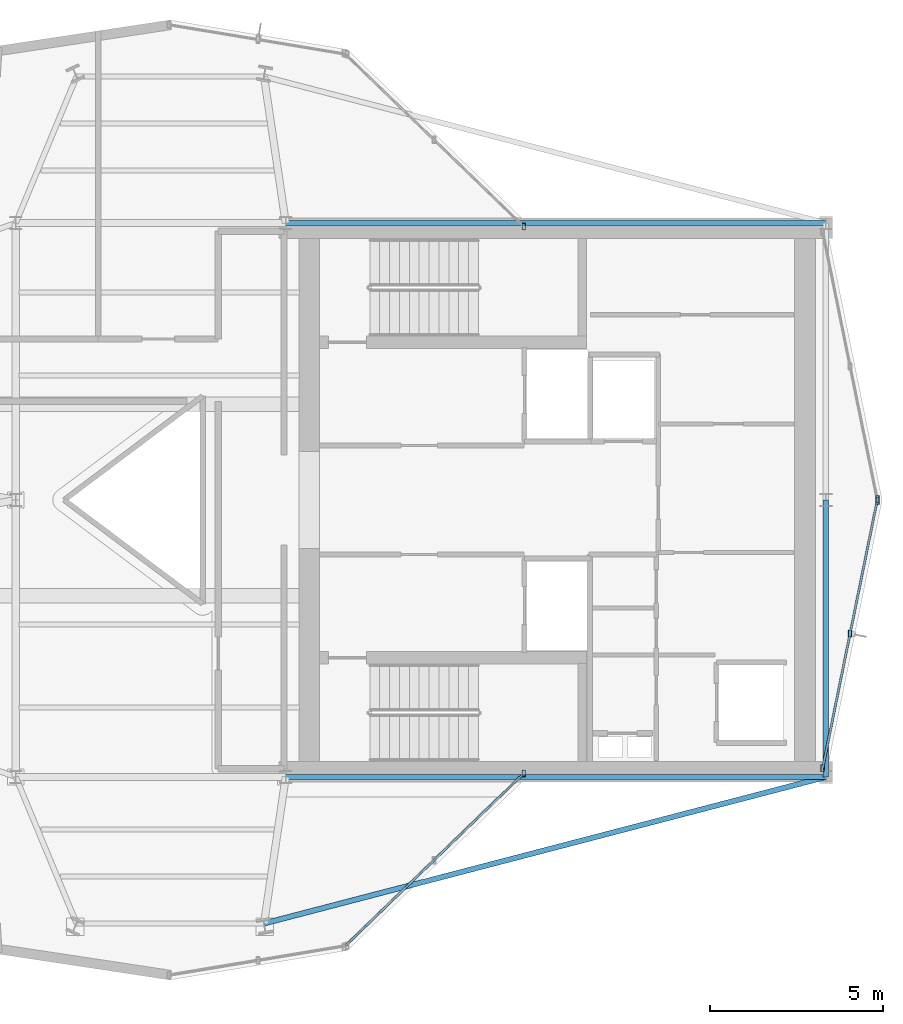
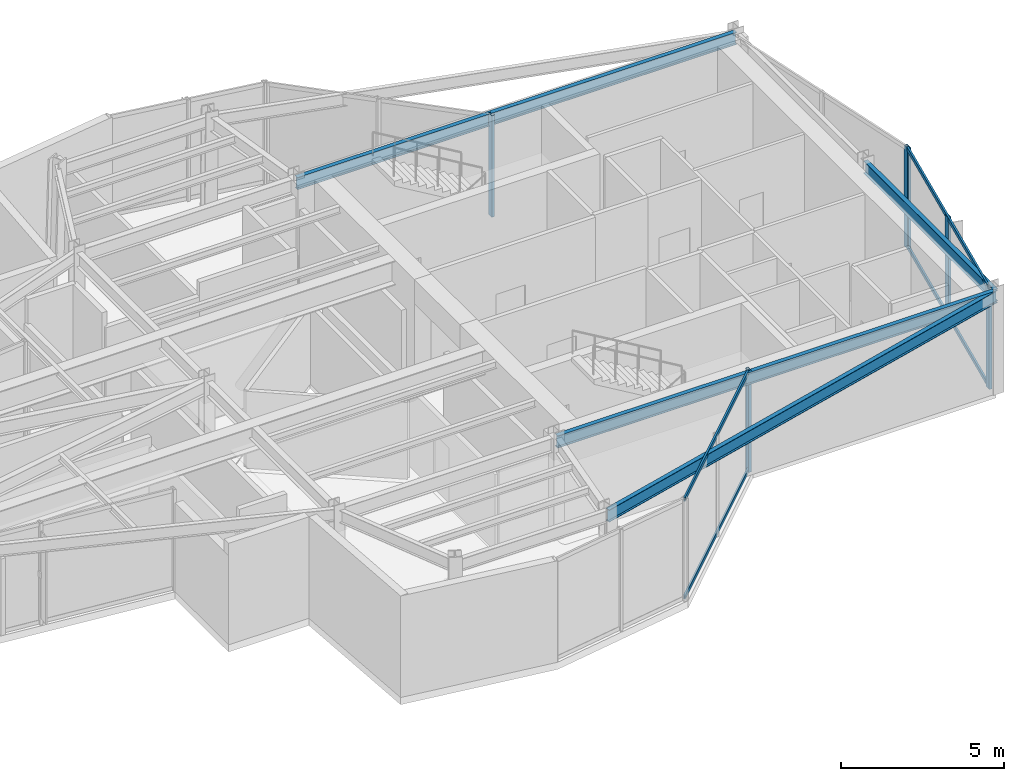
# One storey, part 8 of 18: 10 members, 4 beams, 4 elements without a shape of their own.
"""IFC4 building model written with IfcOpenShell, lengths in metres."""

from ifc_helpers import new_model, si_unit, direction, frame, origin, origin_2d, place, context, subcontext, project, spatial, hollow_rectangle, i_section, extrude, material, layer, layer_set, material_profile, profile_set, type_object, element, aggregate, save


model = new_model("IFC4")

# Units and contexts
model_context = context("Model", 3, precision=1e-05, world=origin(), true_north=direction((0.0, 1.0)))
body_context = subcontext(model_context, "Body", "Model", "MODEL_VIEW")
ifc_project = project(units=[si_unit("LENGTHUNIT", "METRE"), si_unit("AREAUNIT", "SQUARE_METRE"), si_unit("VOLUMEUNIT", "CUBIC_METRE"), si_unit("PLANEANGLEUNIT", "RADIAN"), si_unit("MASSUNIT", "GRAM", prefix="KILO")], contexts=[model_context])

# Site, building, storey
site_placement = place(None, origin())
site = spatial("IfcSite", under=ifc_project, at=site_placement, CompositionType="ELEMENT")
building_placement = place(site_placement, origin())
building = spatial("IfcBuilding", under=site, at=building_placement, Name="Veymaron Broadcast Tower", CompositionType="ELEMENT")
storey_placement = place(building_placement, frame((0.0, 0.0, 319.5)))
storey = spatial("IfcBuildingStorey", under=building, at=storey_placement, Name="L75", CompositionType="ELEMENT", Elevation=319.5)

# Beams
ifc_material_1 = material(Name="Structural steel ASTM A992 Gr 50", Category="steel")
ifc_material_profile_1 = material_profile(ifc_material_1, i_section(OverallWidth=0.154052734375, OverallDepth=0.458984375, WebThickness=0.009033203125, FlangeThickness=0.015380859375, at=origin_2d()), Name="W460X68")
ifc_profile_set_1 = profile_set([ifc_material_profile_1], Name="Structural steel ASTM A992 Gr 50")
beam_type = type_object("IfcBeamType", Name="BM-SP2", PredefinedType="SPANDREL", material=ifc_profile_set_1)
for number, where, z_axis, x_axis, name in (
    (1, (39.0, 16.0, 3.58056640625), (1.0, 0.0, 0.0), (0.0, 1.0, 0.0), "L75 primary structural floor girder"),
    (2, (39.0, 32.0, 3.58056640625), (1.0, 0.0, 0.0), (0.0, 1.0, 0.0), "L75 primary structural floor girder"),
):
    element("IfcBeam", number, at=place(storey_placement, frame(where, z_axis=z_axis, x_axis=x_axis)), inside=storey, type_object=beam_type, Name=name, PredefinedType="SPANDREL", context=body_context, shape_type="SweptSolid", body=[
        extrude(i_section(OverallWidth=0.154052734375, OverallDepth=0.458984375, WebThickness=0.009033203125, FlangeThickness=0.015380859375, at=origin_2d()), origin(), (0.0, 0.0, 1.0), 15.60009765625),
    ])
beam_1_placement = place(storey_placement, frame((54.60009765625, 16.0, 3.58056640625), z_axis=(0.0, 1.0, 0.0), x_axis=(-1.0, 0.0, 0.0)))
element("IfcBeam", 3, at=beam_1_placement, inside=storey, type_object=beam_type, Name="L75 primary structural floor girder", PredefinedType="SPANDREL", context=body_context, shape_type="SweptSolid", body=[
    extrude(i_section(OverallWidth=0.154052734375, OverallDepth=0.458984375, WebThickness=0.009033203125, FlangeThickness=0.015380859375, at=origin_2d()), origin(), (0.0, 0.0, 1.0), 8.0),
])
beam_2_placement = place(storey_placement, frame((54.60009765625, 16.0, 3.58056640625), z_axis=(-0.967638602799, -0.252340116457, 0.0), x_axis=(0.252340116457, -0.967638602799, 0.0)))
element("IfcBeam", 4, at=beam_2_placement, inside=storey, type_object=beam_type, Name="L75 primary structural floor girder", PredefinedType="SPANDREL", context=body_context, shape_type="SweptSolid", body=[
    extrude(i_section(OverallWidth=0.154052734375, OverallDepth=0.458984375, WebThickness=0.009033203125, FlangeThickness=0.015380859375, at=origin_2d()), origin(), (0.0, 0.0, 1.0), 16.770751953125),
])

# Curtain wall, member
ifc_material_2 = material(Name="Anodised aluminium AA 6063-T6 and laminated low-E dark glass", Category="aluminium")
ifc_layer = layer(ifc_material_2, 0.179931640625)
ifc_layer_set = layer_set([ifc_layer], Name="Anodised aluminium AA 6063-T6 and laminated low-E dark glass")
curtain_wall_type = type_object("IfcCurtainWallType", Name="CW-SYS-07", PredefinedType="NOTDEFINED", material=ifc_layer_set)
curtain_wall_1_placement = place(storey_placement, origin())
curtain_wall_1 = element("IfcCurtainWall", 5, at=curtain_wall_1_placement, inside=storey, type_object=curtain_wall_type, Name="L75 dark-glass curtain wall CW-L75-E8-1", PredefinedType="NOTDEFINED")
ifc_material_3 = material(Name="Anodised aluminium AA 6063-T6", Category="aluminium")
ifc_material_profile_2 = material_profile(ifc_material_3, hollow_rectangle(XDim=0.10009765625, YDim=0.199951171875, WallThickness=0.010009765625, at=origin_2d()), Name="RHS200X100X10")
ifc_profile_set_2 = profile_set([ifc_material_profile_2], Name="Anodised aluminium AA 6063-T6")
member_type_1 = type_object("IfcMemberType", Name="CW-MUL-01", PredefinedType="MULLION", material=ifc_profile_set_2)
member_1_placement = place(storey_placement, frame((45.874755859375, 16.1005859375, 0.0), z_axis=(0.0, 0.0, 1.0), x_axis=(1.0, 0.0, 0.0)))
member_1 = element("IfcMember", 6, at=member_1_placement, type_object=member_type_1, Name="CW-L75-E8-1 mullion 2", PredefinedType="MULLION", context=body_context, shape_type="SweptSolid", body=[
    extrude(hollow_rectangle(XDim=0.10009765625, YDim=0.199951171875, WallThickness=0.010009765625, at=origin_2d()), origin(), (0.0, 0.0, 1.0), 3.81005859375),
])

# Curtain wall, members
curtain_wall_2_placement = place(storey_placement, origin())
curtain_wall_2 = element("IfcCurtainWall", 7, at=curtain_wall_2_placement, inside=storey, type_object=curtain_wall_type, Name="L75 dark-glass curtain wall CW-L75-E10-1", PredefinedType="NOTDEFINED")
member_2_placement = place(storey_placement, frame((54.509765625, 16.2587890625, 0.0), z_axis=(0.0, 0.0, 1.0), x_axis=(1.0, 0.0, 0.0)))
member_2 = element("IfcMember", 8, at=member_2_placement, type_object=member_type_1, Name="CW-L75-E10-1 mullion 0", PredefinedType="MULLION", context=body_context, shape_type="SweptSolid", body=[
    extrude(hollow_rectangle(XDim=0.10009765625, YDim=0.199951171875, WallThickness=0.010009765625, at=origin_2d()), origin(), (0.0, 0.0, 1.0), 3.81005859375),
])
member_3_placement = place(storey_placement, frame((55.301025390625, 20.143310546875, 0.0), z_axis=(0.0, 0.0, 1.0), x_axis=(1.0, 0.0, 0.0)))
member_3 = element("IfcMember", 9, at=member_3_placement, type_object=member_type_1, Name="CW-L75-E10-1 mullion 1", PredefinedType="MULLION", context=body_context, shape_type="SweptSolid", body=[
    extrude(hollow_rectangle(XDim=0.10009765625, YDim=0.199951171875, WallThickness=0.010009765625, at=origin_2d()), origin(), (0.0, 0.0, 1.0), 3.81005859375),
])
member_4_placement = place(storey_placement, frame((56.09228515625, 24.02783203125, 0.0), z_axis=(0.0, 0.0, 1.0), x_axis=(1.0, 0.0, 0.0)))
member_4 = element("IfcMember", 10, at=member_4_placement, type_object=member_type_1, Name="CW-L75-E10-1 mullion 2", PredefinedType="MULLION", context=body_context, shape_type="SweptSolid", body=[
    extrude(hollow_rectangle(XDim=0.10009765625, YDim=0.199951171875, WallThickness=0.010009765625, at=origin_2d()), origin(), (0.0, 0.0, 1.0), 3.81005859375),
])

# Curtain wall, member
curtain_wall_3_placement = place(storey_placement, origin())
curtain_wall_3 = element("IfcCurtainWall", 11, at=curtain_wall_3_placement, inside=storey, type_object=curtain_wall_type, Name="L75 dark-glass curtain wall CW-L75-E11-1", PredefinedType="NOTDEFINED")
member_5_placement = place(storey_placement, frame((56.09228515625, 23.97216796875, 0.0), z_axis=(0.0, 0.0, 1.0), x_axis=(1.0, 0.0, 0.0)))
member_5 = element("IfcMember", 12, at=member_5_placement, type_object=member_type_1, Name="CW-L75-E11-1 mullion 0", PredefinedType="MULLION", context=body_context, shape_type="SweptSolid", body=[
    extrude(hollow_rectangle(XDim=0.10009765625, YDim=0.199951171875, WallThickness=0.010009765625, at=origin_2d()), origin(), (0.0, 0.0, 1.0), 3.81005859375),
])
aggregate(curtain_wall_3, [member_5])

curtain_wall_4_placement = place(storey_placement, origin())
curtain_wall_4 = element("IfcCurtainWall", 13, at=curtain_wall_4_placement, inside=storey, type_object=curtain_wall_type, Name="L75 dark-glass curtain wall CW-L75-E13-1", PredefinedType="NOTDEFINED")
member_6_placement = place(storey_placement, frame((45.874755859375, 31.8994140625, 0.0), z_axis=(0.0, 0.0, 1.0), x_axis=(1.0, 0.0, 0.0)))
member_6 = element("IfcMember", 14, at=member_6_placement, type_object=member_type_1, Name="CW-L75-E13-1 mullion 0", PredefinedType="MULLION", context=body_context, shape_type="SweptSolid", body=[
    extrude(hollow_rectangle(XDim=0.10009765625, YDim=0.199951171875, WallThickness=0.010009765625, at=origin_2d()), origin(), (0.0, 0.0, 1.0), 3.81005859375),
])
aggregate(curtain_wall_4, [member_6])

# Member
ifc_material_profile_3 = material_profile(ifc_material_3, hollow_rectangle(XDim=0.06494140625, YDim=0.14990234375, WallThickness=0.00390625, at=origin_2d()), Name="AL150X65X4")
ifc_profile_set_3 = profile_set([ifc_material_profile_3], Name="Anodised aluminium AA 6063-T6")
member_type_2 = type_object("IfcMemberType", Name="CW-TRN-01", PredefinedType="USERDEFINED", material=ifc_profile_set_3)
member_7_placement = place(storey_placement, frame((40.72509765625, 11.124267578125, 0.070068359375), z_axis=(0.719105025557, 0.694901404674, 0.0), x_axis=(-0.694901404674, 0.719105025557, 0.0)))
member_7 = element("IfcMember", 15, at=member_7_placement, type_object=member_type_2, Name="CW-L75-E8-1 transom B", ObjectType="TRANSOM", PredefinedType="USERDEFINED", context=body_context, shape_type="SweptSolid", body=[
    extrude(hollow_rectangle(XDim=0.06494140625, YDim=0.14990234375, WallThickness=0.00390625, at=origin_2d()), origin(), (0.0, 0.0, 1.0), 7.111328125),
])

member_8_placement = place(storey_placement, frame((40.72509765625, 11.124267578125, 3.739990234375), z_axis=(0.719105025557, 0.694901404674, 0.0), x_axis=(-0.694901404674, 0.719105025557, 0.0)))
member_8 = element("IfcMember", 16, at=member_8_placement, type_object=member_type_2, Name="CW-L75-E8-1 transom T", ObjectType="TRANSOM", PredefinedType="USERDEFINED", context=body_context, shape_type="SweptSolid", body=[
    extrude(hollow_rectangle(XDim=0.06494140625, YDim=0.14990234375, WallThickness=0.00390625, at=origin_2d()), origin(), (0.0, 0.0, 1.0), 7.111328125),
])

aggregate(curtain_wall_1, [member_1, member_7, member_8])

member_9_placement = place(storey_placement, frame((54.519775390625, 16.3076171875, 0.070068359375), z_axis=(0.1996111359, 0.97987519329, 0.0), x_axis=(-0.97987519329, 0.1996111359, 0.0)))
member_9 = element("IfcMember", 17, at=member_9_placement, type_object=member_type_2, Name="CW-L75-E10-1 transom B", ObjectType="TRANSOM", PredefinedType="USERDEFINED", context=body_context, shape_type="SweptSolid", body=[
    extrude(hollow_rectangle(XDim=0.06494140625, YDim=0.14990234375, WallThickness=0.00390625, at=origin_2d()), origin(), (0.0, 0.0, 1.0), 7.828857421875),
])

member_10_placement = place(storey_placement, frame((54.519775390625, 16.3076171875, 3.739990234375), z_axis=(0.1996111359, 0.97987519329, 0.0), x_axis=(-0.97987519329, 0.1996111359, 0.0)))
member_10 = element("IfcMember", 18, at=member_10_placement, type_object=member_type_2, Name="CW-L75-E10-1 transom T", ObjectType="TRANSOM", PredefinedType="USERDEFINED", context=body_context, shape_type="SweptSolid", body=[
    extrude(hollow_rectangle(XDim=0.06494140625, YDim=0.14990234375, WallThickness=0.00390625, at=origin_2d()), origin(), (0.0, 0.0, 1.0), 7.828857421875),
])

aggregate(curtain_wall_2, [member_2, member_3, member_4, member_9, member_10])

save(model, "model.ifc")
